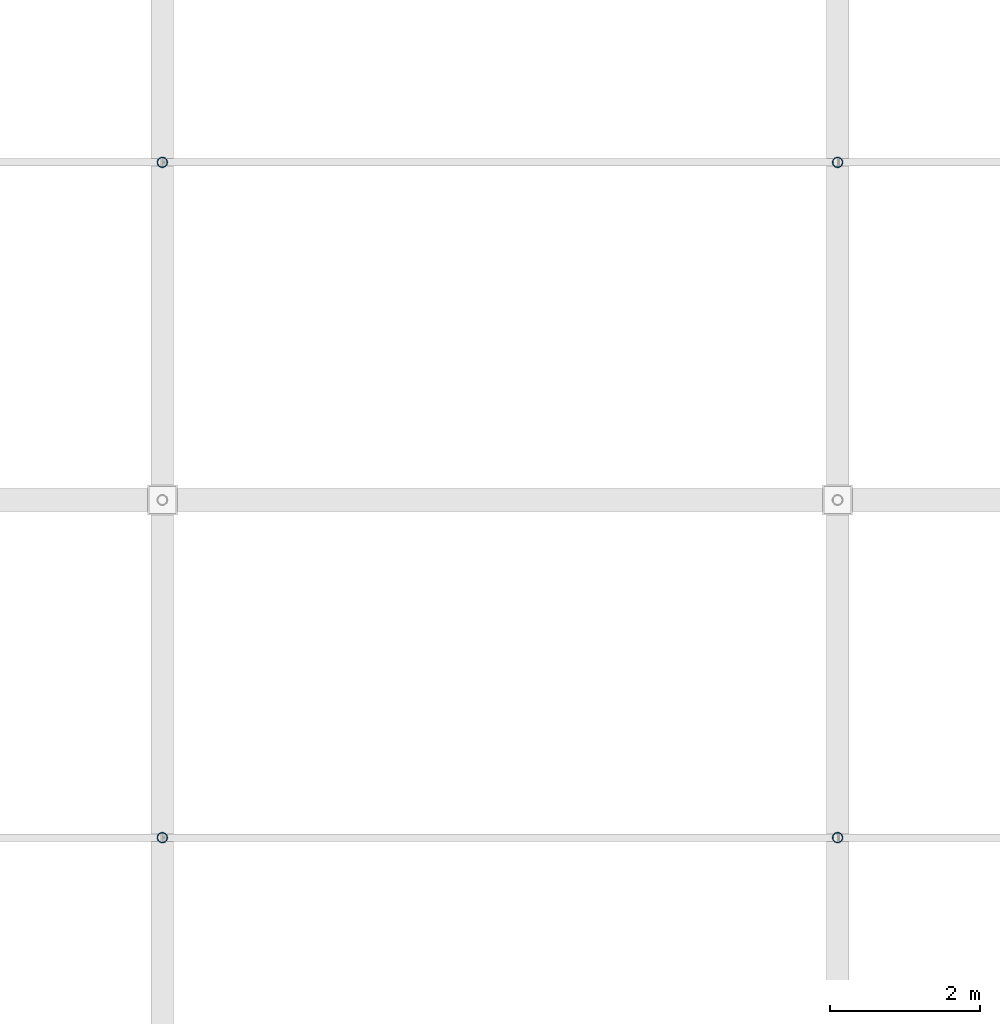
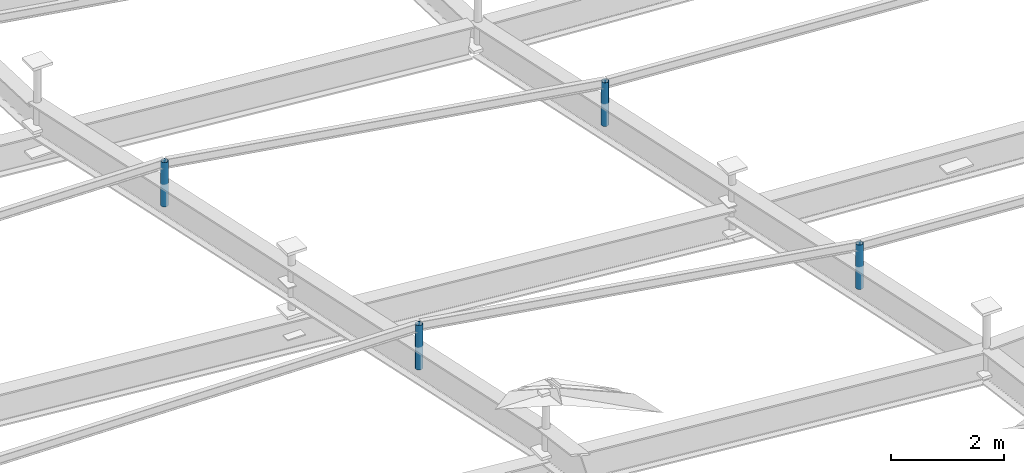
# One storey, part 69 of 80: 4 members.
"""IFC4 building model written with IfcOpenShell, lengths in metres."""

from ifc_helpers import new_model, si_unit, direction, frame, origin, origin_2d, place, context, subcontext, project, spatial, hollow_circle, extrude, material, material_profile, profile_set, type_object, element, save


model = new_model("IFC4")

# Units and contexts
model_context = context("Model", 3, precision=1e-05, world=origin(), true_north=direction((0.0, 1.0)))
body_context = subcontext(model_context, "Body", "Model", "MODEL_VIEW")
ifc_project = project(units=[si_unit("LENGTHUNIT", "METRE"), si_unit("AREAUNIT", "SQUARE_METRE"), si_unit("VOLUMEUNIT", "CUBIC_METRE"), si_unit("PLANEANGLEUNIT", "RADIAN"), si_unit("MASSUNIT", "GRAM", prefix="KILO")], contexts=[model_context])

# Site, building, storey
site_placement = place(None, origin())
site = spatial("IfcSite", under=ifc_project, at=site_placement, CompositionType="ELEMENT")
building_placement = place(site_placement, origin())
building = spatial("IfcBuilding", under=site, at=building_placement, Name="Barlavento Convention Centre", CompositionType="ELEMENT")
storey_placement = place(building_placement, frame((0.0, 0.0, 29.800048828125)))
storey = spatial("IfcBuildingStorey", under=building, at=storey_placement, Name="RF", CompositionType="ELEMENT", Elevation=29.800048828125)

# Members
ifc_material = material(Name="Steel S355", Category="steel")
ifc_material_profile = material_profile(ifc_material, hollow_circle(Radius=0.06982421875, WallThickness=0.008056640625, at=origin_2d()), Name="CHS 139.7x8.0")
ifc_profile_set = profile_set([ifc_material_profile], Name="Steel S355")
member_type = type_object("IfcMemberType", Name="STR-MEM-DIAG-CHS139", PredefinedType="BRACE", material=ifc_profile_set)
member_1_placement = place(storey_placement, frame((9.0, 40.5, -2.1181640625), z_axis=(0.0, 0.0, 1.0), x_axis=(1.0, 0.0, 0.0)))
element("IfcMember", 1, at=member_1_placement, inside=storey, type_object=member_type, Name="Congress space frame vertical node post TD04", PredefinedType="BRACE", context=body_context, shape_type="SweptSolid", body=[
    extrude(hollow_circle(Radius=0.06982421875, WallThickness=0.008056640625, at=origin_2d()), origin(), (0.0, 0.0, 1.0), 0.9580078125),
])
member_2_placement = place(storey_placement, frame((9.0, 49.5, -4.055908203125), z_axis=(0.0, 0.0, 1.0), x_axis=(1.0, 0.0, 0.0)))
element("IfcMember", 2, at=member_2_placement, inside=storey, type_object=member_type, Name="Congress space frame vertical node post TD04", PredefinedType="BRACE", context=body_context, shape_type="SweptSolid", body=[
    extrude(hollow_circle(Radius=0.06982421875, WallThickness=0.008056640625, at=origin_2d()), origin(), (0.0, 0.0, 1.0), 0.95751953125),
])
member_3_placement = place(storey_placement, frame((18.0, 40.5, -3.53076171875), z_axis=(0.0, 0.0, 1.0), x_axis=(1.0, 0.0, 0.0)))
element("IfcMember", 3, at=member_3_placement, inside=storey, type_object=member_type, Name="Congress space frame vertical node post TD04", PredefinedType="BRACE", context=body_context, shape_type="SweptSolid", body=[
    extrude(hollow_circle(Radius=0.06982421875, WallThickness=0.008056640625, at=origin_2d()), origin(), (0.0, 0.0, 1.0), 0.960693359375),
])
member_4_placement = place(storey_placement, frame((18.0, 49.5, -5.468505859375), z_axis=(0.0, 0.0, 1.0), x_axis=(1.0, 0.0, 0.0)))
element("IfcMember", 4, at=member_4_placement, inside=storey, type_object=member_type, Name="Congress space frame vertical node post TD04", PredefinedType="BRACE", context=body_context, shape_type="SweptSolid", body=[
    extrude(hollow_circle(Radius=0.06982421875, WallThickness=0.008056640625, at=origin_2d()), origin(), (0.0, 0.0, 1.0), 0.9443359375),
])

save(model, "model.ifc")
